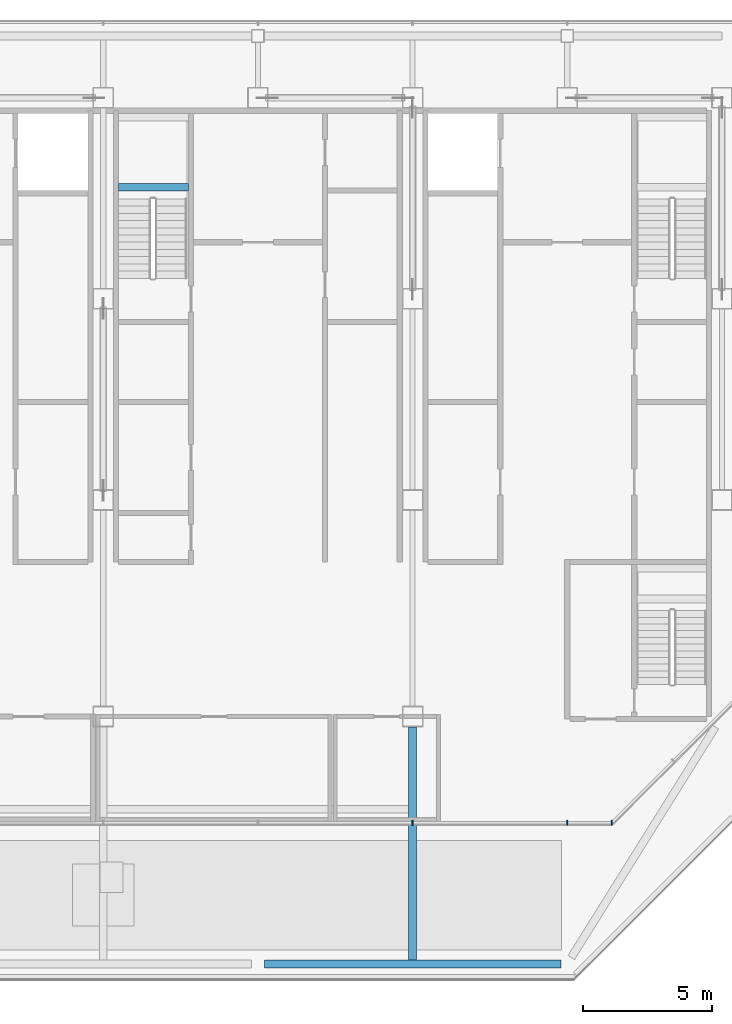
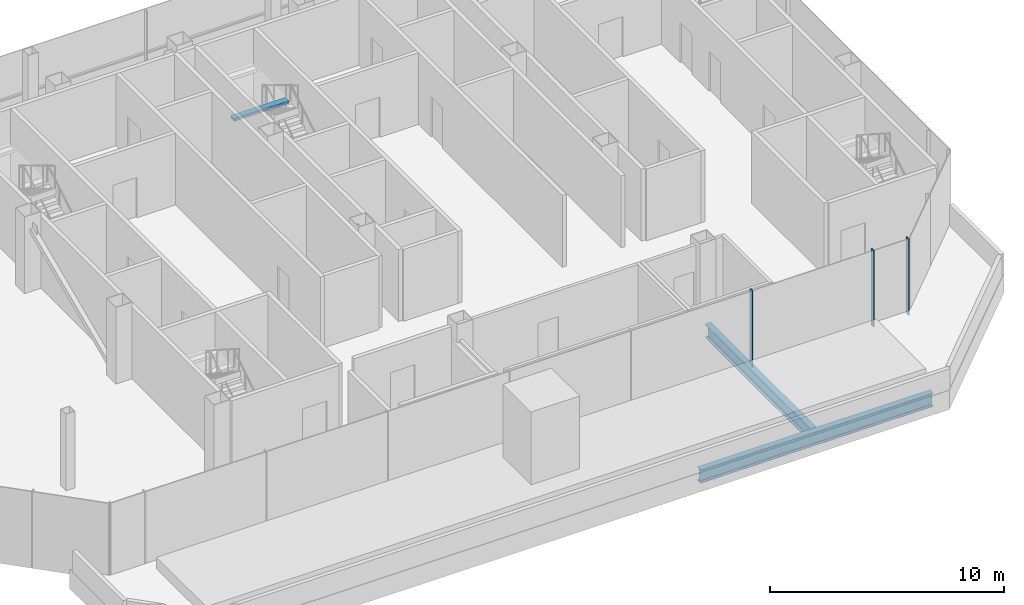
# One storey, part 7 of 18: 3 beams, 3 members, 1 element without a shape of its own.
"""IFC4 building model written with IfcOpenShell, lengths in metres."""

from ifc_helpers import new_model, si_unit, direction, frame, origin, origin_2d, place, context, subcontext, project, spatial, rectangle, i_section, extrude, material, material_profile, profile_set, type_object, element, aggregate, save


model = new_model("IFC4")

# Units and contexts
model_context = context("Model", 3, precision=1e-05, world=origin(), true_north=direction((0.0, 1.0)))
body_context = subcontext(model_context, "Body", "Model", "MODEL_VIEW")
ifc_project = project(units=[si_unit("LENGTHUNIT", "METRE"), si_unit("AREAUNIT", "SQUARE_METRE"), si_unit("VOLUMEUNIT", "CUBIC_METRE"), si_unit("PLANEANGLEUNIT", "RADIAN"), si_unit("MASSUNIT", "GRAM", prefix="KILO")], contexts=[model_context])

# Site, building, storey
site_placement = place(None, origin())
site = spatial("IfcSite", under=ifc_project, at=site_placement, CompositionType="ELEMENT")
building_placement = place(site_placement, origin())
building = spatial("IfcBuilding", under=site, at=building_placement, Name="Sorahane Residences", CompositionType="ELEMENT")
storey_placement = place(building_placement, frame((0.0, 0.0, 345.800048828125)))
storey = spatial("IfcBuildingStorey", under=building, at=storey_placement, Name="L82", CompositionType="ELEMENT", Elevation=345.800048828125)

# Curtain wall, members
ifc_material_1 = material(Name="Dark low-e glass and black anodised aluminium", Category="aluminium")
curtain_wall_type = type_object("IfcCurtainWallType", Name="Curtain wall CW-6 Crown unitised wall", PredefinedType="NOTDEFINED", material=ifc_material_1)
curtain_wall_placement = place(storey_placement, origin())
curtain_wall = element("IfcCurtainWall", 1, at=curtain_wall_placement, inside=storey, type_object=curtain_wall_type, Name="CW-6 curtain wall L82 S1", PredefinedType="NOTDEFINED")
ifc_material_2 = material(Name="Black anodised aluminium", Category="aluminium")
ifc_material_profile_1 = material_profile(ifc_material_2, rectangle(XDim=0.199951171875, YDim=0.050048828125, at=origin_2d()), Name="Curtain wall mullion CW-6 black anodised aluminium 50x200")
ifc_profile_set_1 = profile_set([ifc_material_profile_1], Name="Black anodised aluminium")
member_type = type_object("IfcMemberType", Name="Curtain wall mullion CW-6 black anodised aluminium 50x200", PredefinedType="MULLION", material=ifc_profile_set_1)
member_1_placement = place(storey_placement, frame((30.0, 17.47998046875, -0.25), z_axis=(0.0, 0.0, 1.0), x_axis=(0.0, -1.0, 0.0)))
member_1 = element("IfcMember", 2, at=member_1_placement, type_object=member_type, Name="CW-6 mullion L82 S1.7", PredefinedType="MULLION", context=body_context, shape_type="SweptSolid", body=[
    extrude(rectangle(XDim=0.199951171875, YDim=0.050048828125, at=origin_2d()), origin(), (0.0, 0.0, 1.0), 4.0),
])
member_2_placement = place(storey_placement, frame((36.0, 17.47998046875, -0.25), z_axis=(0.0, 0.0, 1.0), x_axis=(0.0, -1.0, 0.0)))
member_2 = element("IfcMember", 3, at=member_2_placement, type_object=member_type, Name="CW-6 mullion L82 S1.8", PredefinedType="MULLION", context=body_context, shape_type="SweptSolid", body=[
    extrude(rectangle(XDim=0.199951171875, YDim=0.050048828125, at=origin_2d()), origin(), (0.0, 0.0, 1.0), 4.0),
])
member_3_placement = place(storey_placement, frame((37.7236328125, 17.47998046875, -0.25), z_axis=(0.0, 0.0, 1.0), x_axis=(0.0, -1.0, 0.0)))
member_3 = element("IfcMember", 4, at=member_3_placement, type_object=member_type, Name="CW-6 mullion L82 S1.9", PredefinedType="MULLION", context=body_context, shape_type="SweptSolid", body=[
    extrude(rectangle(XDim=0.199951171875, YDim=0.050048828125, at=origin_2d()), origin(), (0.0, 0.0, 1.0), 4.0),
])
aggregate(curtain_wall, [member_1, member_2, member_3])

# Beams
ifc_material_3 = material(Name="Concrete C40", Category="concrete")
ifc_material_profile_2 = material_profile(ifc_material_3, rectangle(XDim=0.300048828125, YDim=0.139892578125, at=origin_2d()), Name="300x140")
ifc_profile_set_2 = profile_set([ifc_material_profile_2], Name="Concrete C40")
beam_type_1 = type_object("IfcBeamType", Name="RC landing beam 300 x 140 Concrete C40", PredefinedType="BEAM", material=ifc_profile_set_2)
beam_1_placement = place(storey_placement, frame((18.60009765625, 42.1298828125, 1.72998046875), z_axis=(1.0, 0.0, 0.0), x_axis=(0.0, 1.0, 0.0)))
element("IfcBeam", 5, at=beam_1_placement, inside=storey, type_object=beam_type_1, Name="Landing beam", PredefinedType="BEAM", context=body_context, shape_type="SweptSolid", body=[
    extrude(rectangle(XDim=0.300048828125, YDim=0.139892578125, at=origin_2d()), origin(), (0.0, 0.0, 1.0), 2.699951171875),
])
ifc_material_4 = material(Name="Steel Q355B", Category="steel")
ifc_material_profile_3 = material_profile(ifc_material_4, i_section(OverallWidth=0.300048828125, OverallDepth=0.699951171875, WebThickness=0.012939453125, FlangeThickness=0.02392578125, FilletRadius=0.028076171875, at=origin_2d()), Name="HN 700x300x13x24")
ifc_profile_set_3 = profile_set([ifc_material_profile_3], Name="Steel Q355B")
beam_type_2 = type_object("IfcBeamType", Name="Steel floor beam HN 700x300x13x24 Q355B", PredefinedType="BEAM", material=ifc_profile_set_3)
beam_2_placement = place(storey_placement, frame((24.25, 12.0, -0.60009765625), z_axis=(1.0, 0.0, 0.0), x_axis=(0.0, 1.0, 0.0)))
element("IfcBeam", 6, at=beam_2_placement, inside=storey, type_object=beam_type_2, Name="Beam L82 002", PredefinedType="BEAM", context=body_context, shape_type="SweptSolid", body=[
    extrude(i_section(OverallWidth=0.300048828125, OverallDepth=0.699951171875, WebThickness=0.012939453125, FlangeThickness=0.02392578125, FilletRadius=0.028076171875, at=origin_2d()), origin(), (0.0, 0.0, 1.0), 11.5),
])
beam_3_placement = place(storey_placement, frame((30.0, 12.14990234375, -0.60009765625), z_axis=(0.0, 1.0, 0.0), x_axis=(-1.0, 0.0, 0.0)))
element("IfcBeam", 7, at=beam_3_placement, inside=storey, type_object=beam_type_2, Name="Beam L82 023", PredefinedType="BEAM", context=body_context, shape_type="SweptSolid", body=[
    extrude(i_section(OverallWidth=0.300048828125, OverallDepth=0.699951171875, WebThickness=0.012939453125, FlangeThickness=0.02392578125, FilletRadius=0.028076171875, at=origin_2d()), origin(), (0.0, 0.0, 1.0), 9.050048828125),
])

save(model, "model.ifc")
